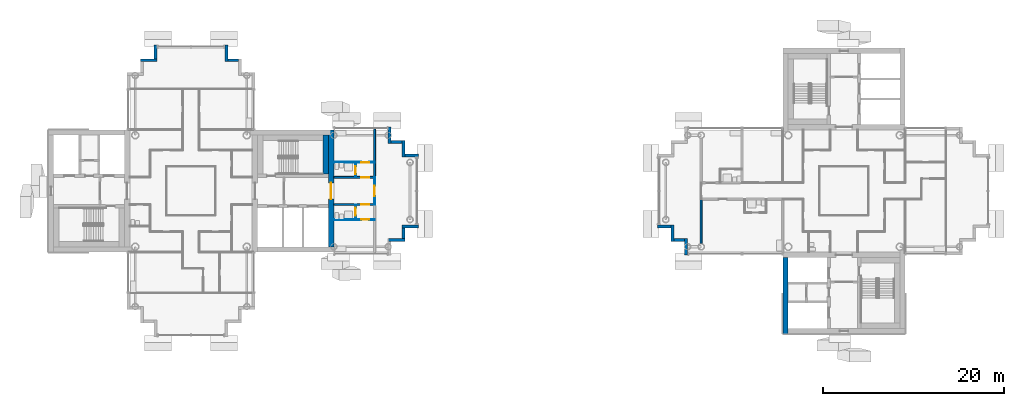
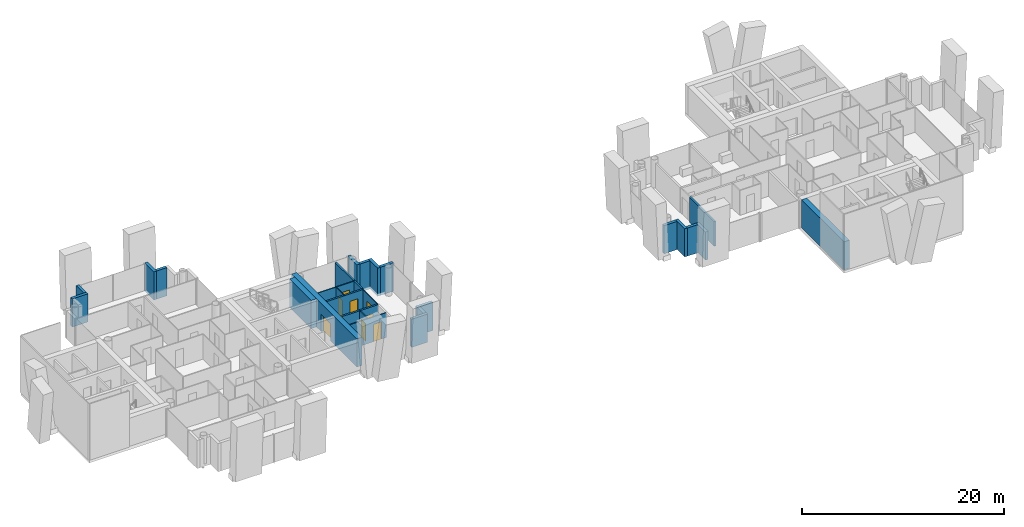
# One storey, part 8 of 18: 27 walls, 8 doors, 8 openings.
"""IFC4 building model written with IfcOpenShell, lengths in metres."""

from ifc_helpers import new_model, si_unit, direction, frame, frame_2d, origin, place, context, subcontext, project, spatial, rectangle, extrude, material, layer, layer_set, type_object, element, fill, save


model = new_model("IFC4")

# Units and contexts
model_context = context("Model", 3, precision=1e-05, world=origin(), true_north=direction((0.0, 1.0)))
body_context = subcontext(model_context, "Body", "Model", "MODEL_VIEW")
ifc_project = project(units=[si_unit("LENGTHUNIT", "METRE"), si_unit("AREAUNIT", "SQUARE_METRE"), si_unit("VOLUMEUNIT", "CUBIC_METRE"), si_unit("PLANEANGLEUNIT", "RADIAN"), si_unit("MASSUNIT", "GRAM", prefix="KILO")], contexts=[model_context])

# Site, building, storey
site_placement = place(None, origin())
site = spatial("IfcSite", under=ifc_project, at=site_placement, CompositionType="ELEMENT")
building_placement = place(site_placement, origin())
building = spatial("IfcBuilding", under=site, at=building_placement, Name="Ipe Terrace Towers", CompositionType="ELEMENT")
storey_placement = place(building_placement, frame((0.0, 0.0, 209.60009765625)))
storey = spatial("IfcBuildingStorey", under=building, at=storey_placement, Name="L58", CompositionType="ELEMENT", Elevation=209.60009765625)

# Walls
ifc_material_1 = material(Name="Concrete C40/50 with buff precast cladding", Category="concrete")
ifc_layer_1 = layer(ifc_material_1, 0.320068359375)
ifc_layer_set_1 = layer_set([ifc_layer_1], Name="BUFF CLADDING WALL 320")
wall_type_1 = type_object("IfcWallType", Name="BUFF CLADDING WALL 320", PredefinedType="STANDARD", material=ifc_layer_set_1)
wall_1_placement = place(storey_placement, frame((-14.25, -5.409912109375, -0.300048828125), z_axis=(0.0, 0.0, 1.0), x_axis=(1.0, 0.0, 0.0)))
element("IfcWall", 1, at=wall_1_placement, inside=storey, type_object=wall_type_1, Name="T1-W-L58-18a wall", PredefinedType="STANDARD", context=body_context, shape_type="SweptSolid", body=[
    extrude(rectangle(XDim=1.820068359375, YDim=0.320068359375, at=frame_2d((0.91015625, 0.0))), origin(), (0.0, 0.0, 1.0), 3.39990234375),
])
wall_2_placement = place(storey_placement, frame((-12.590087890625, -5.25, -0.300048828125), z_axis=(0.0, 0.0, 1.0), x_axis=(0.0, 1.0, 0.0)))
element("IfcWall", 2, at=wall_2_placement, inside=storey, type_object=wall_type_1, Name="T1-W-L58-19a wall", PredefinedType="STANDARD", context=body_context, shape_type="SweptSolid", body=[
    extrude(rectangle(XDim=1.179931640625, YDim=0.320068359375, at=frame_2d((0.58984375, 0.0))), origin(), (0.0, 0.0, 1.0), 3.39990234375),
])
wall_3_placement = place(storey_placement, frame((-12.75, -3.909912109375, -0.300048828125), z_axis=(0.0, 0.0, 1.0), x_axis=(1.0, 0.0, 0.0)))
element("IfcWall", 3, at=wall_3_placement, inside=storey, type_object=wall_type_1, Name="T1-W-L58-20a wall", PredefinedType="STANDARD", context=body_context, shape_type="SweptSolid", body=[
    extrude(rectangle(XDim=1.820068359375, YDim=0.320068359375, at=frame_2d((0.91015625, 0.0))), origin(), (0.0, 0.0, 1.0), 3.39990234375),
])
wall_4_placement = place(storey_placement, frame((-10.929931640625, 3.909912109375, -0.300048828125), z_axis=(0.0, 0.0, 1.0), x_axis=(-1.0, 0.0, 0.0)))
element("IfcWall", 4, at=wall_4_placement, inside=storey, type_object=wall_type_1, Name="T1-W-L58-22a wall", PredefinedType="STANDARD", context=body_context, shape_type="SweptSolid", body=[
    extrude(rectangle(XDim=1.5, YDim=0.320068359375, at=frame_2d((0.75, 0.0))), origin(), (0.0, 0.0, 1.0), 3.39990234375),
])
wall_5_placement = place(storey_placement, frame((-12.590087890625, 3.75, -0.300048828125), z_axis=(0.0, 0.0, 1.0), x_axis=(0.0, 1.0, 0.0)))
element("IfcWall", 5, at=wall_5_placement, inside=storey, type_object=wall_type_1, Name="T1-W-L58-23a wall", PredefinedType="STANDARD", context=body_context, shape_type="SweptSolid", body=[
    extrude(rectangle(XDim=1.820068359375, YDim=0.320068359375, at=frame_2d((0.91015625, 0.0))), origin(), (0.0, 0.0, 1.0), 3.39990234375),
])
wall_6_placement = place(storey_placement, frame((-12.75, 5.409912109375, -0.300048828125), z_axis=(0.0, 0.0, 1.0), x_axis=(-1.0, 0.0, 0.0)))
element("IfcWall", 6, at=wall_6_placement, inside=storey, type_object=wall_type_1, Name="T1-W-L58-24a wall", PredefinedType="STANDARD", context=body_context, shape_type="SweptSolid", body=[
    extrude(rectangle(XDim=1.179931640625, YDim=0.320068359375, at=frame_2d((0.58984375, 0.0))), origin(), (0.0, 0.0, 1.0), 3.39990234375),
])
wall_7_placement = place(storey_placement, frame((-14.090087890625, 5.25, -0.300048828125), z_axis=(0.0, 0.0, 1.0), x_axis=(0.0, 1.0, 0.0)))
element("IfcWall", 7, at=wall_7_placement, inside=storey, type_object=wall_type_1, Name="T1-W-L58-25a wall", PredefinedType="STANDARD", context=body_context, shape_type="SweptSolid", body=[
    extrude(rectangle(XDim=1.820068359375, YDim=0.320068359375, at=frame_2d((0.91015625, 0.0))), origin(), (0.0, 0.0, 1.0), 3.39990234375),
])
wall_8_placement = place(storey_placement, frame((-30.75, 14.409912109375, -0.300048828125), z_axis=(0.0, 0.0, 1.0), x_axis=(-1.0, 0.0, 0.0)))
element("IfcWall", 8, at=wall_8_placement, inside=storey, type_object=wall_type_1, Name="T1-W-L58-32a wall", PredefinedType="STANDARD", context=body_context, shape_type="SweptSolid", body=[
    extrude(rectangle(XDim=1.179931640625, YDim=0.320068359375, at=frame_2d((0.58984375, 0.0))), origin(), (0.0, 0.0, 1.0), 3.39990234375),
])
wall_9_placement = place(storey_placement, frame((-32.090087890625, 14.25, -0.300048828125), z_axis=(0.0, 0.0, 1.0), x_axis=(0.0, 1.0, 0.0)))
element("IfcWall", 9, at=wall_9_placement, inside=storey, type_object=wall_type_1, Name="T1-W-L58-33a wall", PredefinedType="STANDARD", context=body_context, shape_type="SweptSolid", body=[
    extrude(rectangle(XDim=1.820068359375, YDim=0.320068359375, at=frame_2d((0.91015625, 0.0))), origin(), (0.0, 0.0, 1.0), 3.39990234375),
])
wall_10_placement = place(storey_placement, frame((-39.909912109375, 16.070068359375, -0.300048828125), z_axis=(0.0, 0.0, 1.0), x_axis=(0.0, -1.0, 0.0)))
element("IfcWall", 10, at=wall_10_placement, inside=storey, type_object=wall_type_1, Name="T1-W-L58-35a wall", PredefinedType="STANDARD", context=body_context, shape_type="SweptSolid", body=[
    extrude(rectangle(XDim=1.5, YDim=0.320068359375, at=frame_2d((0.75, 0.0))), origin(), (0.0, 0.0, 1.0), 3.39990234375),
])
wall_11_placement = place(storey_placement, frame((-39.75, 14.409912109375, -0.300048828125), z_axis=(0.0, 0.0, 1.0), x_axis=(-1.0, 0.0, 0.0)))
element("IfcWall", 11, at=wall_11_placement, inside=storey, type_object=wall_type_1, Name="T1-W-L58-36a wall", PredefinedType="STANDARD", context=body_context, shape_type="SweptSolid", body=[
    extrude(rectangle(XDim=1.820068359375, YDim=0.320068359375, at=frame_2d((0.91015625, 0.0))), origin(), (0.0, 0.0, 1.0), 3.39990234375),
])
wall_12_placement = place(storey_placement, frame((15.429931640625, -3.909912109375, -0.300048828125), z_axis=(0.0, 0.0, 1.0), x_axis=(1.0, 0.0, 0.0)))
element("IfcWall", 12, at=wall_12_placement, inside=storey, type_object=wall_type_1, Name="T2-W-L58-27a wall", PredefinedType="STANDARD", context=body_context, shape_type="SweptSolid", body=[
    extrude(rectangle(XDim=1.5, YDim=0.320068359375, at=frame_2d((0.75, 0.0))), origin(), (0.0, 0.0, 1.0), 3.39990234375),
])
wall_13_placement = place(storey_placement, frame((17.090087890625, -3.75, -0.300048828125), z_axis=(0.0, 0.0, 1.0), x_axis=(0.0, -1.0, 0.0)))
element("IfcWall", 13, at=wall_13_placement, inside=storey, type_object=wall_type_1, Name="T2-W-L58-28a wall", PredefinedType="STANDARD", context=body_context, shape_type="SweptSolid", body=[
    extrude(rectangle(XDim=1.820068359375, YDim=0.320068359375, at=frame_2d((0.91015625, 0.0))), origin(), (0.0, 0.0, 1.0), 3.39990234375),
])
wall_14_placement = place(storey_placement, frame((17.25, -5.409912109375, -0.300048828125), z_axis=(0.0, 0.0, 1.0), x_axis=(1.0, 0.0, 0.0)))
element("IfcWall", 14, at=wall_14_placement, inside=storey, type_object=wall_type_1, Name="T2-W-L58-29a wall", PredefinedType="STANDARD", context=body_context, shape_type="SweptSolid", body=[
    extrude(rectangle(XDim=1.179931640625, YDim=0.320068359375, at=frame_2d((0.58984375, 0.0))), origin(), (0.0, 0.0, 1.0), 3.39990234375),
])
wall_15_placement = place(storey_placement, frame((18.590087890625, -5.25, -0.300048828125), z_axis=(0.0, 0.0, 1.0), x_axis=(0.0, -1.0, 0.0)))
element("IfcWall", 15, at=wall_15_placement, inside=storey, type_object=wall_type_1, Name="T2-W-L58-30a wall", PredefinedType="STANDARD", context=body_context, shape_type="SweptSolid", body=[
    extrude(rectangle(XDim=1.820068359375, YDim=0.320068359375, at=frame_2d((0.91015625, 0.0))), origin(), (0.0, 0.0, 1.0), 3.39990234375),
])

# Wall, opening, door
ifc_material_2 = material(Name="Gypsum board partition", Category="plasterboard")
ifc_layer_2 = layer(ifc_material_2, 0.10009765625)
ifc_layer_set_2 = layer_set([ifc_layer_2], Name="Gypsum board partition 100 mm")
wall_type_2 = type_object("IfcWallType", Name="Gypsum board partition 100 mm", PredefinedType="PARTITIONING", material=ifc_layer_set_2)
wall_16_placement = place(storey_placement, frame((-17.85009765625, -3.14990234375, 0.0), z_axis=(0.0, 0.0, 1.0), x_axis=(0.0, 1.0, 0.0)))
wall_16 = element("IfcWall", 16, at=wall_16_placement, inside=storey, type_object=wall_type_2, Name="Gypsum board partition T1 L58 W13", PredefinedType="PARTITIONING", context=body_context, shape_type="SweptSolid", body=[
    extrude(rectangle(XDim=1.64990234375, YDim=0.10009765625, at=frame_2d((0.824951171875, 0.0))), origin(), (0.0, 0.0, 1.0), 3.0),
])
opening_1_placement = place(wall_16_placement, frame((0.39990234375, 0.0, 0.0)))
opening_1 = element("IfcOpeningElement", 17, at=opening_1_placement, cuts=wall_16, Name="Opening T1-Z4E-21", PredefinedType="OPENING", context=body_context, shape_type="SweptSolid", body=[
    extrude(rectangle(XDim=0.89990234375, YDim=2.10009765625, at=frame_2d((0.449951171875, 1.050048828125))), frame((0.0, 0.06005859375, 0.0), z_axis=(0.0, -1.0, 0.0), x_axis=(1.0, 0.0, 0.0)), (0.0, 0.0, 1.0), 0.1201171875),
])
ifc_material_3 = material(Name="Timber door leaf", Category="wood")
door_type_1 = type_object("IfcDoorType", Name="Bathroom door 900 x 2100", OperationType="NOTDEFINED", PredefinedType="DOOR", material=ifc_material_3)
door_1_placement = place(opening_1_placement, origin())
door_1 = element("IfcDoor", 18, at=door_1_placement, inside=storey, type_object=door_type_1, Name="Bathroom door T1-Z4E-21", OperationType="SINGLE_SWING_LEFT", OverallHeight=2.10009765625, OverallWidth=0.89990234375, PredefinedType="DOOR", context=body_context, shape_type="SweptSolid", body=[
    extrude(rectangle(XDim=0.89990234375, YDim=2.10009765625, at=frame_2d((0.449951171875, 1.050048828125))), frame((0.0, 0.02490234375, 0.0), z_axis=(0.0, -1.0, 0.0), x_axis=(1.0, 0.0, 0.0)), (0.0, 0.0, 1.0), 0.050048828125),
])
fill(opening_1, door_1)

wall_17_placement = place(storey_placement, frame((-17.85009765625, 1.5, 0.0), z_axis=(0.0, 0.0, 1.0), x_axis=(0.0, 1.0, 0.0)))
wall_17 = element("IfcWall", 19, at=wall_17_placement, inside=storey, type_object=wall_type_2, Name="Gypsum board partition T1 L58 W14", PredefinedType="PARTITIONING", context=body_context, shape_type="SweptSolid", body=[
    extrude(rectangle(XDim=1.64990234375, YDim=0.10009765625, at=frame_2d((0.824951171875, 0.0))), origin(), (0.0, 0.0, 1.0), 3.0),
])
opening_2_placement = place(wall_17_placement, frame((0.35009765625, 0.0, 0.0)))
opening_2 = element("IfcOpeningElement", 20, at=opening_2_placement, cuts=wall_17, Name="Opening T1-Z4E-18", PredefinedType="OPENING", context=body_context, shape_type="SweptSolid", body=[
    extrude(rectangle(XDim=0.89990234375, YDim=2.10009765625, at=frame_2d((0.449951171875, 1.050048828125))), frame((0.0, 0.06005859375, 0.0), z_axis=(0.0, -1.0, 0.0), x_axis=(1.0, 0.0, 0.0)), (0.0, 0.0, 1.0), 0.1201171875),
])
door_2_placement = place(opening_2_placement, origin())
door_2 = element("IfcDoor", 21, at=door_2_placement, inside=storey, type_object=door_type_1, Name="Bathroom door T1-Z4E-18", OperationType="SINGLE_SWING_RIGHT", OverallHeight=2.10009765625, OverallWidth=0.89990234375, PredefinedType="DOOR", context=body_context, shape_type="SweptSolid", body=[
    extrude(rectangle(XDim=0.89990234375, YDim=2.10009765625, at=frame_2d((0.449951171875, 1.050048828125))), frame((0.0, 0.02490234375, 0.0), z_axis=(0.0, -1.0, 0.0), x_axis=(1.0, 0.0, 0.0)), (0.0, 0.0, 1.0), 0.050048828125),
])
fill(opening_2, door_2)

wall_18_placement = place(storey_placement, frame((-15.75, -1.5, 0.0), z_axis=(0.0, 0.0, 1.0), x_axis=(0.0, 1.0, 0.0)))
wall_18 = element("IfcWall", 22, at=wall_18_placement, inside=storey, type_object=wall_type_2, Name="Gypsum board partition T1 L58 W15", PredefinedType="PARTITIONING", context=body_context, shape_type="SweptSolid", body=[
    extrude(rectangle(XDim=3.0, YDim=0.10009765625, at=frame_2d((1.5, 0.0))), origin(), (0.0, 0.0, 1.0), 3.0),
])
opening_3_placement = place(wall_18_placement, frame((0.89990234375, 0.0, 0.0)))
opening_3 = element("IfcOpeningElement", 23, at=opening_3_placement, cuts=wall_18, Name="Opening T1-Z4E-22", PredefinedType="OPENING", context=body_context, shape_type="SweptSolid", body=[
    extrude(rectangle(XDim=1.199951171875, YDim=2.10009765625, at=frame_2d((0.60009765625, 1.050048828125))), frame((0.0, 0.06005859375, 0.0), z_axis=(0.0, -1.0, 0.0), x_axis=(1.0, 0.0, 0.0)), (0.0, 0.0, 1.0), 0.1201171875),
])
ifc_material_4 = material(Name="Timber door leaf", Category="wood")
door_type_2 = type_object("IfcDoorType", Name="Lounge door 1200 x 2100", OperationType="NOTDEFINED", PredefinedType="DOOR", material=ifc_material_4)
door_3_placement = place(opening_3_placement, origin())
door_3 = element("IfcDoor", 24, at=door_3_placement, inside=storey, type_object=door_type_2, Name="Lounge door T1-Z4E-22", OperationType="SINGLE_SWING_RIGHT", OverallHeight=2.10009765625, OverallWidth=1.199951171875, PredefinedType="DOOR", context=body_context, shape_type="SweptSolid", body=[
    extrude(rectangle(XDim=1.199951171875, YDim=2.10009765625, at=frame_2d((0.60009765625, 1.050048828125))), frame((0.0, 0.02490234375, 0.0), z_axis=(0.0, -1.0, 0.0), x_axis=(1.0, 0.0, 0.0)), (0.0, 0.0, 1.0), 0.050048828125),
])
fill(opening_3, door_3)

wall_19_placement = place(storey_placement, frame((-20.25, -3.14990234375, 0.0), z_axis=(0.0, 0.0, 1.0), x_axis=(1.0, 0.0, 0.0)))
wall_19 = element("IfcWall", 25, at=wall_19_placement, inside=storey, type_object=wall_type_2, Name="Gypsum board partition T1 L58 W25", PredefinedType="PARTITIONING", context=body_context, shape_type="SweptSolid", body=[
    extrude(rectangle(XDim=4.5, YDim=0.10009765625, at=frame_2d((2.25, 0.0))), origin(), (0.0, 0.0, 1.0), 3.0),
])
opening_4_placement = place(wall_19_placement, frame((3.0, 0.0, 0.0)))
opening_4 = element("IfcOpeningElement", 26, at=opening_4_placement, cuts=wall_19, Name="Opening T1-Z4E-20", PredefinedType="OPENING", context=body_context, shape_type="SweptSolid", body=[
    extrude(rectangle(XDim=0.89990234375, YDim=2.10009765625, at=frame_2d((0.449951171875, 1.050048828125))), frame((0.0, 0.06005859375, 0.0), z_axis=(0.0, -1.0, 0.0), x_axis=(1.0, 0.0, 0.0)), (0.0, 0.0, 1.0), 0.1201171875),
])
ifc_material_5 = material(Name="Timber door leaf", Category="wood")
door_type_3 = type_object("IfcDoorType", Name="Bedroom door 900 x 2100", OperationType="NOTDEFINED", PredefinedType="DOOR", material=ifc_material_5)
door_4_placement = place(opening_4_placement, origin())
door_4 = element("IfcDoor", 27, at=door_4_placement, inside=storey, type_object=door_type_3, Name="Bedroom door T1-Z4E-20", OperationType="SINGLE_SWING_RIGHT", OverallHeight=2.10009765625, OverallWidth=0.89990234375, PredefinedType="DOOR", context=body_context, shape_type="SweptSolid", body=[
    extrude(rectangle(XDim=0.89990234375, YDim=2.10009765625, at=frame_2d((0.449951171875, 1.050048828125))), frame((0.0, 0.02490234375, 0.0), z_axis=(0.0, -1.0, 0.0), x_axis=(1.0, 0.0, 0.0)), (0.0, 0.0, 1.0), 0.050048828125),
])
fill(opening_4, door_4)

wall_20_placement = place(storey_placement, frame((-20.25, 3.14990234375, 0.0), z_axis=(0.0, 0.0, 1.0), x_axis=(1.0, 0.0, 0.0)))
wall_20 = element("IfcWall", 28, at=wall_20_placement, inside=storey, type_object=wall_type_2, Name="Gypsum board partition T1 L58 W34", PredefinedType="PARTITIONING", context=body_context, shape_type="SweptSolid", body=[
    extrude(rectangle(XDim=4.5, YDim=0.10009765625, at=frame_2d((2.25, 0.0))), origin(), (0.0, 0.0, 1.0), 3.0),
])
opening_5_placement = place(wall_20_placement, frame((3.0, 0.0, 0.0)))
opening_5 = element("IfcOpeningElement", 29, at=opening_5_placement, cuts=wall_20, Name="Opening T1-Z4E-17", PredefinedType="OPENING", context=body_context, shape_type="SweptSolid", body=[
    extrude(rectangle(XDim=0.89990234375, YDim=2.10009765625, at=frame_2d((0.449951171875, 1.050048828125))), frame((0.0, 0.06005859375, 0.0), z_axis=(0.0, -1.0, 0.0), x_axis=(1.0, 0.0, 0.0)), (0.0, 0.0, 1.0), 0.1201171875),
])
door_5_placement = place(opening_5_placement, origin())
door_5 = element("IfcDoor", 30, at=door_5_placement, inside=storey, type_object=door_type_3, Name="Bedroom door T1-Z4E-17", OperationType="SINGLE_SWING_LEFT", OverallHeight=2.10009765625, OverallWidth=0.89990234375, PredefinedType="DOOR", context=body_context, shape_type="SweptSolid", body=[
    extrude(rectangle(XDim=0.89990234375, YDim=2.10009765625, at=frame_2d((0.449951171875, 1.050048828125))), frame((0.0, 0.02490234375, 0.0), z_axis=(0.0, -1.0, 0.0), x_axis=(1.0, 0.0, 0.0)), (0.0, 0.0, 1.0), 0.050048828125),
])
fill(opening_5, door_5)

# Wall
ifc_material_6 = material(Name="Gypsum board party wall", Category="plasterboard")
ifc_layer_3 = layer(ifc_material_6, 0.199951171875)
ifc_layer_set_3 = layer_set([ifc_layer_3], Name="Gypsum board party wall 200 mm")
wall_type_3 = type_object("IfcWallType", Name="Gypsum board party wall 200 mm", PredefinedType="SOLIDWALL", material=ifc_layer_set_3)
wall_21_placement = place(storey_placement, frame((-15.75, 1.5, 0.0), z_axis=(0.0, 0.0, 1.0), x_axis=(0.0, 1.0, 0.0)))
element("IfcWall", 31, at=wall_21_placement, inside=storey, type_object=wall_type_3, Name="Gypsum board party wall T1 L58 W17", PredefinedType="SOLIDWALL", context=body_context, shape_type="SweptSolid", body=[
    extrude(rectangle(XDim=5.35009765625, YDim=0.199951171875, at=frame_2d((2.675048828125, 0.0))), origin(), (0.0, 0.0, 1.0), 3.0),
])

# Wall, opening, door
wall_22_placement = place(storey_placement, frame((-20.25, -1.5, 0.0), z_axis=(0.0, 0.0, 1.0), x_axis=(1.0, 0.0, 0.0)))
wall_22 = element("IfcWall", 32, at=wall_22_placement, inside=storey, type_object=wall_type_3, Name="Gypsum board party wall T1 L58 W29", PredefinedType="SOLIDWALL", context=body_context, shape_type="SweptSolid", body=[
    extrude(rectangle(XDim=4.5, YDim=0.199951171875, at=frame_2d((2.25, 0.0))), origin(), (0.0, 0.0, 1.0), 3.0),
])
opening_6_placement = place(wall_22_placement, frame((3.0, 0.0, 0.0)))
opening_6 = element("IfcOpeningElement", 33, at=opening_6_placement, cuts=wall_22, Name="Opening T1-Z4E-19", PredefinedType="OPENING", context=body_context, shape_type="SweptSolid", body=[
    extrude(rectangle(XDim=0.89990234375, YDim=2.10009765625, at=frame_2d((0.449951171875, 1.050048828125))), frame((0.0, 0.10986328125, 0.0), z_axis=(0.0, -1.0, 0.0), x_axis=(1.0, 0.0, 0.0)), (0.0, 0.0, 1.0), 0.219970703125),
])
ifc_material_7 = material(Name="Fire-rated timber door leaf", Category="wood")
door_type_4 = type_object("IfcDoorType", Name="Flat entrance door 900 x 2100 FD30S", OperationType="NOTDEFINED", PredefinedType="DOOR", material=ifc_material_7)
door_6_placement = place(opening_6_placement, origin())
door_6 = element("IfcDoor", 34, at=door_6_placement, inside=storey, type_object=door_type_4, Name="Flat entrance door T1-Z4E-19", OperationType="SINGLE_SWING_RIGHT", OverallHeight=2.10009765625, OverallWidth=0.89990234375, PredefinedType="DOOR", context=body_context, shape_type="SweptSolid", body=[
    extrude(rectangle(XDim=0.89990234375, YDim=2.10009765625, at=frame_2d((0.449951171875, 1.050048828125))), frame((0.0, 0.02490234375, 0.0), z_axis=(0.0, -1.0, 0.0), x_axis=(1.0, 0.0, 0.0)), (0.0, 0.0, 1.0), 0.050048828125),
])
fill(opening_6, door_6)

wall_23_placement = place(storey_placement, frame((-20.25, 1.5, 0.0), z_axis=(0.0, 0.0, 1.0), x_axis=(1.0, 0.0, 0.0)))
wall_23 = element("IfcWall", 35, at=wall_23_placement, inside=storey, type_object=wall_type_3, Name="Gypsum board party wall T1 L58 W32", PredefinedType="SOLIDWALL", context=body_context, shape_type="SweptSolid", body=[
    extrude(rectangle(XDim=4.5, YDim=0.199951171875, at=frame_2d((2.25, 0.0))), origin(), (0.0, 0.0, 1.0), 3.0),
])
opening_7_placement = place(wall_23_placement, frame((3.0, 0.0, 0.0)))
opening_7 = element("IfcOpeningElement", 36, at=opening_7_placement, cuts=wall_23, Name="Opening T1-Z4E-16", PredefinedType="OPENING", context=body_context, shape_type="SweptSolid", body=[
    extrude(rectangle(XDim=0.89990234375, YDim=2.10009765625, at=frame_2d((0.449951171875, 1.050048828125))), frame((0.0, 0.10986328125, 0.0), z_axis=(0.0, -1.0, 0.0), x_axis=(1.0, 0.0, 0.0)), (0.0, 0.0, 1.0), 0.219970703125),
])
door_7_placement = place(opening_7_placement, origin())
door_7 = element("IfcDoor", 37, at=door_7_placement, inside=storey, type_object=door_type_4, Name="Flat entrance door T1-Z4E-16", OperationType="SINGLE_SWING_LEFT", OverallHeight=2.10009765625, OverallWidth=0.89990234375, PredefinedType="DOOR", context=body_context, shape_type="SweptSolid", body=[
    extrude(rectangle(XDim=0.89990234375, YDim=2.10009765625, at=frame_2d((0.449951171875, 1.050048828125))), frame((0.0, 0.02490234375, 0.0), z_axis=(0.0, -1.0, 0.0), x_axis=(1.0, 0.0, 0.0)), (0.0, 0.0, 1.0), 0.050048828125),
])
fill(opening_7, door_7)

# Walls
wall_24_placement = place(storey_placement, frame((20.25, -5.800048828125, 0.0), z_axis=(0.0, 0.0, 1.0), x_axis=(0.0, 1.0, 0.0)))
element("IfcWall", 38, at=wall_24_placement, inside=storey, type_object=wall_type_3, Name="Gypsum board party wall T2 L58 W39", PredefinedType="SOLIDWALL", context=body_context, shape_type="SweptSolid", body=[
    extrude(rectangle(XDim=4.900146484375, YDim=0.199951171875, at=frame_2d((2.4501953125, 0.0))), origin(), (0.0, 0.0, 1.0), 3.0),
])
ifc_material_8 = material(Name="Concrete C40/50", Category="concrete")
ifc_layer_4 = layer(ifc_material_8, 0.60009765625)
ifc_layer_set_4 = layer_set([ifc_layer_4], Name="RW600 CORE INFILL WALL 600 C40-50")
wall_type_4 = type_object("IfcWallType", Name="RW600 CORE INFILL WALL 600 C40-50", PredefinedType="SHEAR", material=ifc_layer_set_4)
wall_25_placement = place(storey_placement, frame((-21.14990234375, 1.85009765625, 0.0), z_axis=(0.0, 0.0, 1.0), x_axis=(0.0, 1.0, 0.0)))
element("IfcWall", 39, at=wall_25_placement, inside=storey, type_object=wall_type_4, Name="Core infill wall T1-C1-far", PredefinedType="SHEAR", context=body_context, shape_type="SweptSolid", body=[
    extrude(rectangle(XDim=4.2998046875, YDim=0.60009765625, at=frame_2d((2.14990234375, 0.0))), origin(), (0.0, 0.0, 1.0), 3.39990234375),
])

# Wall, opening, door
ifc_material_9 = material(Name="Concrete C40/50", Category="concrete")
ifc_layer_5 = layer(ifc_material_9, 0.60009765625)
ifc_layer_set_5 = layer_set([ifc_layer_5], Name="RW600 CORE WALL 600 C40-50")
wall_type_5 = type_object("IfcWallType", Name="RW600 CORE WALL 600 C40-50", PredefinedType="SHEAR", material=ifc_layer_set_5)
wall_26_placement = place(storey_placement, frame((-20.550048828125, -6.14990234375, 0.0), z_axis=(0.0, 0.0, 1.0), x_axis=(0.0, 1.0, 0.0)))
wall_26 = element("IfcWall", 40, at=wall_26_placement, inside=storey, type_object=wall_type_5, Name="Core wall T1-C1-Z4-W02", PredefinedType="SHEAR", context=body_context, shape_type="SweptSolid", body=[
    extrude(rectangle(XDim=12.89990234375, YDim=0.60009765625, at=frame_2d((6.449951171875, 0.0))), origin(), (0.0, 0.0, 1.0), 3.39990234375),
])
opening_8_placement = place(wall_26_placement, frame((5.25, 0.0, 0.0)))
opening_8 = element("IfcOpeningElement", 41, at=opening_8_placement, cuts=wall_26, Name="Opening T1C1-FD", PredefinedType="OPENING", context=body_context, shape_type="SweptSolid", body=[
    extrude(rectangle(XDim=1.800048828125, YDim=2.10009765625, at=frame_2d((0.89990234375, 1.050048828125))), frame((0.0, 0.31005859375, 0.0), z_axis=(0.0, -1.0, 0.0), x_axis=(1.0, 0.0, 0.0)), (0.0, 0.0, 1.0), 0.6201171875),
])
ifc_material_10 = material(Name="Fire-rated timber door leaf", Category="wood")
door_type_5 = type_object("IfcDoorType", Name="Fire door 1800 x 2100 FD30S", OperationType="NOTDEFINED", PredefinedType="DOOR", material=ifc_material_10)
door_8_placement = place(opening_8_placement, origin())
door_8 = element("IfcDoor", 42, at=door_8_placement, inside=storey, type_object=door_type_5, Name="Fire door T1C1-FD", OperationType="SINGLE_SWING_LEFT", OverallHeight=2.10009765625, OverallWidth=1.800048828125, PredefinedType="DOOR", context=body_context, shape_type="SweptSolid", body=[
    extrude(rectangle(XDim=1.800048828125, YDim=2.10009765625, at=frame_2d((0.89990234375, 1.050048828125))), frame((0.0, 0.02490234375, 0.0), z_axis=(0.0, -1.0, 0.0), x_axis=(1.0, 0.0, 0.0)), (0.0, 0.0, 1.0), 0.050048828125),
])
fill(opening_8, door_8)

# Wall
wall_27_placement = place(storey_placement, frame((29.550048828125, -7.35009765625, 0.0), z_axis=(0.0, 0.0, 1.0), x_axis=(0.0, -1.0, 0.0)))
element("IfcWall", 43, at=wall_27_placement, inside=storey, type_object=wall_type_5, Name="Core wall T2-C2-Z4-W04", PredefinedType="SHEAR", context=body_context, shape_type="SweptSolid", body=[
    extrude(rectangle(XDim=8.39990234375, YDim=0.60009765625, at=frame_2d((4.199951171875, 0.0))), origin(), (0.0, 0.0, 1.0), 3.39990234375),
])

save(model, "model.ifc")
